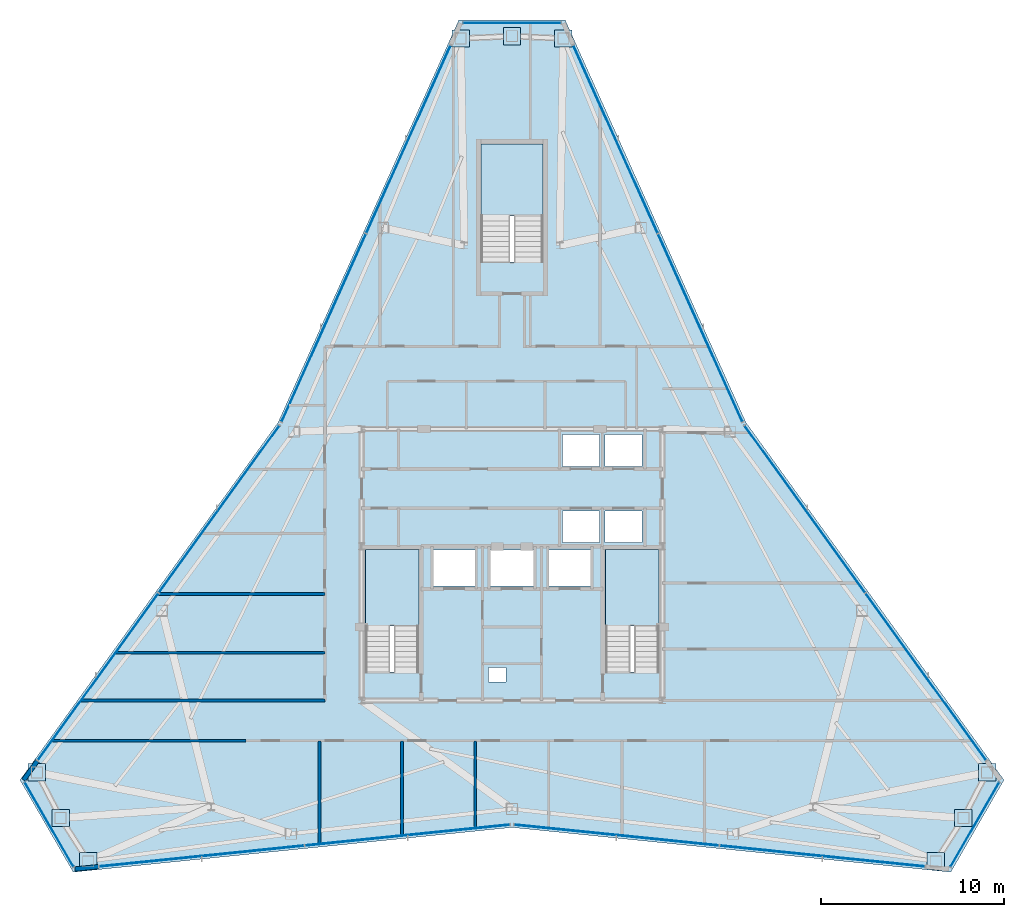
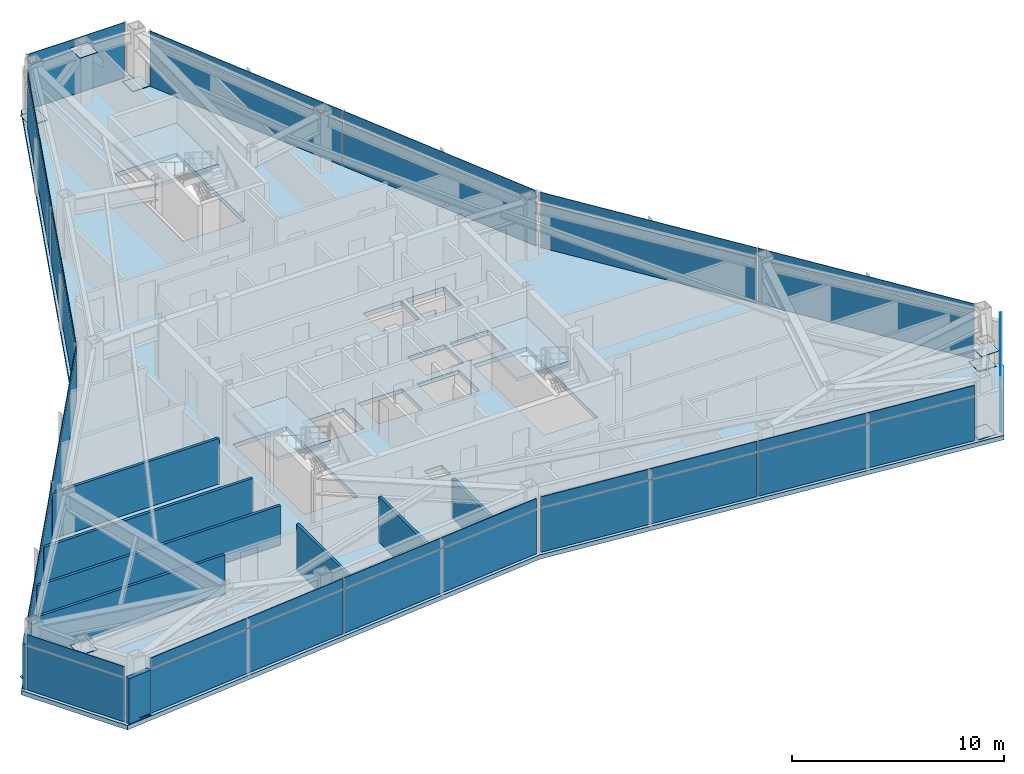
# One storey, part 8 of 12: 39 plates, 9 walls, 4 slabs, 12 elements without a shape of their own.
"""IFC4 building model written with IfcOpenShell, lengths in metres."""

import ifcopenshell
import ifcopenshell.guid

model = None  # the IFC model being written
_history = None  # IfcOwnerHistory: only IFC2X3 demands one
_inside = {}  # id of a spatial element -> (the spatial element, [elements in it])
_under = {}  # id of a project, library or spatial element -> (it, [spatial elements below it])
_declared = {}  # id of a project -> (the project, [libraries it declares])
_typed = {}  # id of a type object -> (the type object, [elements of that type])
_made_of = {}  # id of a material, layer set ... -> (it, [elements and type objects made of it])


def new_model(schema):
    """Start an empty IFC model of exactly this schema.

    Asked for "IFC4X3", IfcOpenShell would pick the latest addendum, in which some entities
    have other attributes; the version numbers below select the first issue.
    IFC2X3 requires an IfcOwnerHistory on every rooted entity: one is made here for all.
    """
    global model, _history
    if schema == "IFC4X3":
        model = ifcopenshell.file(schema_version=(4, 3, 0, 0))
    else:
        model = ifcopenshell.file(schema=schema)
    _inside.clear()
    _under.clear()
    _declared.clear()
    _typed.clear()
    _made_of.clear()
    _history = None
    if model.schema == "IFC2X3":
        org = make("IfcOrganization", Name="unknown")
        user = make(
            "IfcPersonAndOrganization",
            ThePerson=make("IfcPerson", FamilyName="unknown"),
            TheOrganization=org,
        )
        app = make(
            "IfcApplication",
            ApplicationDeveloper=org,
            Version="unknown",
            ApplicationFullName="unknown",
            ApplicationIdentifier="unknown",
        )
        _history = make(
            "IfcOwnerHistory",
            OwningUser=user,
            OwningApplication=app,
            ChangeAction="ADDED",
            CreationDate=0,
        )
    return model


def make(cls, **values):
    """One entity of the class cls with the attributes given. An attribute that is None is left unset."""
    return model.create_entity(
        cls, **{name: value for name, value in values.items() if value is not None}
    )


def rooted(cls, **values):
    """An entity with a GlobalId (a new one), such as an element, a storey or a relation."""
    return make(cls, GlobalId=ifcopenshell.guid.new(), OwnerHistory=_history, **values)


def si_unit(unit_type, name, prefix=None):
    """IfcSIUnit, for example si_unit("LENGTHUNIT", "METRE", prefix="MILLI")."""
    return make("IfcSIUnit", UnitType=unit_type, Prefix=prefix, Name=name)


def assignment(units):
    """IfcUnitAssignment: the units of a project."""
    return None if units is None else make("IfcUnitAssignment", Units=units)


def point(xyz):
    """IfcCartesianPoint."""
    return None if xyz is None else make("IfcCartesianPoint", Coordinates=xyz)


def direction(xyz):
    """IfcDirection."""
    return None if xyz is None else make("IfcDirection", DirectionRatios=xyz)


def frame(location, z_axis=None, x_axis=None):
    """IfcAxis2Placement3D, a coordinate frame: its origin and axes. An axis left out is left unset."""
    return make(
        "IfcAxis2Placement3D",
        Location=point(location),
        Axis=direction(z_axis),
        RefDirection=direction(x_axis),
    )


def frame_2d(location, x_axis=None):
    """IfcAxis2Placement2D, a coordinate frame in the plane: its origin and x axis."""
    return make(
        "IfcAxis2Placement2D", Location=point(location), RefDirection=direction(x_axis)
    )


def origin():
    """The frame at (0, 0, 0) with its axes left unset."""
    return frame((0.0, 0.0, 0.0))


def origin_2d():
    """The frame at (0, 0) in the plane with its x axis left unset."""
    return frame_2d((0.0, 0.0))


def place(relative_to, where):
    """IfcLocalPlacement: puts the frame where relative to a parent placement (None: the world)."""
    return make(
        "IfcLocalPlacement", PlacementRelTo=relative_to, RelativePlacement=where
    )


def context(
    kind, dimensions, precision=None, world=None, true_north=None, identifier=None
):
    """IfcGeometricRepresentationContext, for example the 3D "Model" context."""
    return make(
        "IfcGeometricRepresentationContext",
        ContextIdentifier=identifier,
        ContextType=kind,
        CoordinateSpaceDimension=dimensions,
        Precision=precision,
        WorldCoordinateSystem=world,
        TrueNorth=true_north,
    )


def subcontext(parent, identifier, kind, view, scale=None):
    """IfcGeometricRepresentationSubContext, for example "Body" below "Model"."""
    return make(
        "IfcGeometricRepresentationSubContext",
        ContextIdentifier=identifier,
        ContextType=kind,
        ParentContext=parent,
        TargetScale=scale,
        TargetView=view,
    )


def project(units=None, contexts=None):
    """IfcProject with its units and contexts."""
    return rooted(
        "IfcProject",
        Name="project",
        RepresentationContexts=contexts,
        UnitsInContext=assignment(units),
    )


def spatial(cls, under=None, at=None, **own):
    """A site, building, storey or space (cls), placed at a placement, below another one or the project."""
    s = rooted(cls, ObjectPlacement=at, **own)
    if under is not None:
        _under.setdefault(under.id(), (under, []))[1].append(s)
    return s


def polyline(points):
    """IfcPolyline through the points."""
    return make("IfcPolyline", Points=[point(p) for p in points])


def profile(cls, at=None, kind="AREA", **sizes):
    """A parametric profile (cls). Its sizes go by their IFC names, for example OverallWidth=200.0."""
    return make(cls, ProfileType=kind, Position=at, **sizes)


def rectangle(**sizes):
    """IfcRectangleProfileDef."""
    return profile("IfcRectangleProfileDef", **sizes)


def outline(outer, holes=None, kind="AREA"):
    """IfcArbitraryClosedProfileDef: a profile drawn as a closed curve; with holes, ...WithVoids."""
    if holes is None:
        return make("IfcArbitraryClosedProfileDef", ProfileType=kind, OuterCurve=outer)
    return make(
        "IfcArbitraryProfileDefWithVoids",
        ProfileType=kind,
        OuterCurve=outer,
        InnerCurves=holes,
    )


def extrude(swept, where, along, depth):
    """IfcExtrudedAreaSolid: the profile swept, set in the frame where, extruded along a direction by depth."""
    return make(
        "IfcExtrudedAreaSolid",
        SweptArea=swept,
        Position=where,
        ExtrudedDirection=direction(along),
        Depth=depth,
    )


def shape(context_of_items, identifier, shape_type, items):
    """IfcShapeRepresentation: the items that make up one representation, for example the "Body"."""
    return make(
        "IfcShapeRepresentation",
        ContextOfItems=context_of_items,
        RepresentationIdentifier=identifier,
        RepresentationType=shape_type,
        Items=items,
    )


def source(mapping_origin, context_of_items, identifier, shape_type, items):
    """IfcRepresentationMap: a shape defined once, which mapped items show again and again."""
    return make(
        "IfcRepresentationMap",
        MappingOrigin=mapping_origin,
        MappedRepresentation=shape(context_of_items, identifier, shape_type, items),
    )


def transform(
    local_origin,
    x_axis=None,
    y_axis=None,
    z_axis=None,
    scale=None,
    scale2=None,
    scale3=None,
    uniform=True,
):
    """IfcCartesianTransformationOperator3D, or its non-uniform kind. x_axis, y_axis, z_axis: its Axis1, 2, 3."""
    if uniform:
        return make(
            "IfcCartesianTransformationOperator3D",
            Axis1=direction(x_axis),
            Axis2=direction(y_axis),
            LocalOrigin=point(local_origin),
            Scale=scale,
            Axis3=direction(z_axis),
        )
    return make(
        "IfcCartesianTransformationOperator3DnonUniform",
        Axis1=direction(x_axis),
        Axis2=direction(y_axis),
        LocalOrigin=point(local_origin),
        Scale=scale,
        Axis3=direction(z_axis),
        Scale2=scale2,
        Scale3=scale3,
    )


def mapped(mapping_source, mapping_target):
    """IfcMappedItem: shows the shape of a source again, moved by a transform."""
    return make(
        "IfcMappedItem", MappingSource=mapping_source, MappingTarget=mapping_target
    )


def material(Name=None, Category=None):
    """IfcMaterial."""
    return make("IfcMaterial", Name=Name, Category=Category)


def layer(
    of_material, thickness, ventilated=None, Name=None, Category=None, Priority=None
):
    """IfcMaterialLayer: one layer of a wall or slab, of a material (None: an air gap)."""
    return make(
        "IfcMaterialLayer",
        Material=of_material,
        LayerThickness=thickness,
        IsVentilated=ventilated,
        Name=Name,
        Category=Category,
        Priority=Priority,
    )


def layer_set(layers, Name=None):
    """IfcMaterialLayerSet."""
    return make("IfcMaterialLayerSet", MaterialLayers=layers, LayerSetName=Name)


def made_of(thing, what):
    """Note that an element or type object is made of a material, layer set ...; save() writes the relation."""
    if what is not None:
        _made_of.setdefault(what.id(), (what, []))[1].append(thing)
    return thing


def type_object(cls, material=None, **own):
    """A type object (cls), such as IfcWallType, which elements share."""
    return made_of(rooted(cls, **own), material)


def type_shapes(of_type, sources):
    """Give a type object the sources (RepresentationMaps) that its elements show as mapped items."""
    of_type.RepresentationMaps = sources


def element(
    cls,
    number,
    at=None,
    inside=None,
    cuts=None,
    type_object=None,
    material=None,
    context=None,
    identifier="Body",
    shape_type=None,
    held_by="IfcProductDefinitionShape",
    body=None,
    shapes=None,
    **own,
):
    """One element of the class cls, such as IfcWall. Its Tag is "e" and its number.

    at: its placement. inside: the storey or other place that contains it. cuts: it is an
    opening in that element (IfcRelVoidsElement). A single representation is given by context,
    identifier, shape_type and body (its items); several are given by shapes. held_by: the class
    of the entity that holds the representations. save() writes the other relations.
    """
    e = rooted(cls, Tag="e%d" % number, ObjectPlacement=at, **own)
    if body is not None:
        shapes = [shape(context, identifier, shape_type, body)]
    if shapes is not None:
        e.Representation = make(held_by, Representations=shapes)
    if inside is not None:
        _inside.setdefault(inside.id(), (inside, []))[1].append(e)
    if cuts is not None:
        rooted(
            "IfcRelVoidsElement", RelatingBuildingElement=cuts, RelatedOpeningElement=e
        )
    if type_object is not None:
        _typed.setdefault(type_object.id(), (type_object, []))[1].append(e)
    return made_of(e, material)


def aggregate(whole, parts):
    """IfcRelAggregates: a whole, such as a stair, and the parts it consists of."""
    return rooted("IfcRelAggregates", RelatingObject=whole, RelatedObjects=parts)


def save(model, path):
    """Write the relations noted so far, then the file.

    IfcRelAggregates (storeys below a building ...), IfcRelContainedInSpatialStructure (elements
    in a storey), IfcRelDefinesByType, IfcRelAssociatesMaterial and IfcRelDeclares: one each for
    every whole, place, type object, material and project.
    """
    for whole, parts in _under.values():
        aggregate(whole, parts)
    for where, things in _inside.values():
        rooted(
            "IfcRelContainedInSpatialStructure",
            RelatedElements=things,
            RelatingStructure=where,
        )
    for kind, things in _typed.values():
        rooted("IfcRelDefinesByType", RelatedObjects=things, RelatingType=kind)
    for what, things in _made_of.values():
        rooted("IfcRelAssociatesMaterial", RelatedObjects=things, RelatingMaterial=what)
    for by, libraries in _declared.values():
        rooted("IfcRelDeclares", RelatingContext=by, RelatedDefinitions=libraries)
    model.write(path)


model = new_model("IFC4")

# Units and contexts
model_context = context("Model", 3, precision=1e-05, world=origin(), true_north=direction((0.0, 1.0)))
body_context = subcontext(model_context, "Body", "Model", "MODEL_VIEW")
ifc_project = project(units=[si_unit("LENGTHUNIT", "METRE"), si_unit("AREAUNIT", "SQUARE_METRE"), si_unit("VOLUMEUNIT", "CUBIC_METRE"), si_unit("PLANEANGLEUNIT", "RADIAN"), si_unit("MASSUNIT", "GRAM", prefix="KILO")], contexts=[model_context])

# Site, building, storey
site_placement = place(None, origin())
site = spatial("IfcSite", under=ifc_project, at=site_placement, CompositionType="ELEMENT")
building_placement = place(site_placement, origin())
building = spatial("IfcBuilding", under=site, at=building_placement, Name="Varakhsha Concourse Tower", CompositionType="ELEMENT")
storey_placement = place(building_placement, frame((0.0, 0.0, 262.0)))
storey = spatial("IfcBuildingStorey", under=building, at=storey_placement, Name="L74", CompositionType="ELEMENT", Elevation=262.0)

# Slab
ifc_material_1 = material(Name="Concrete fc 45 MPa", Category="concrete")
ifc_layer_1 = layer(ifc_material_1, 0.25, Name="SL-FLR-250")
ifc_layer_set_1 = layer_set([ifc_layer_1], Name="Concrete fc 45 MPa")
slab_type_1 = type_object("IfcSlabType", Name="SL-FLR-250", PredefinedType="FLOOR", material=ifc_layer_set_1)
slab_1_placement = place(storey_placement, frame((0.0, 0.0, -0.25)))
element("IfcSlab", 1, at=slab_1_placement, inside=storey, type_object=slab_type_1, Name="L74 Composite Structural Slab", PredefinedType="FLOOR", context=body_context, shape_type="SweptSolid", body=[
    extrude(outline(polyline([(42.89990234375, 53.4970703125), (37.10009765625, 53.4970703125), (27.249267578125, 31.5615234375), (13.177978515625, 12.06298828125), (16.077880859375, 7.0400390625), (40.0, 9.476806640625), (63.922119140625, 7.0400390625), (66.822021484375, 12.06298828125), (52.750732421875, 31.5615234375), (42.89990234375, 53.4970703125)]), holes=[polyline([(34.919921875, 17.93994140625), (34.919921875, 24.6298828125), (32.0, 24.6298828125), (32.0, 17.93994140625), (34.919921875, 17.93994140625)]), polyline([(48.02001953125, 17.93994140625), (48.02001953125, 24.6298828125), (45.10009765625, 24.6298828125), (45.10009765625, 17.93994140625), (48.02001953125, 17.93994140625)]), polyline([(41.699951171875, 40.300048828125), (41.699951171875, 46.75), (38.300048828125, 46.75), (38.300048828125, 40.300048828125), (41.699951171875, 40.300048828125)]), polyline([(42.739990234375, 29.159912109375), (44.780029296875, 29.159912109375), (44.780029296875, 30.89990234375), (42.739990234375, 30.89990234375), (42.739990234375, 29.159912109375)]), polyline([(45.06005859375, 29.159912109375), (47.10009765625, 29.159912109375), (47.10009765625, 30.89990234375), (45.06005859375, 30.89990234375), (45.06005859375, 29.159912109375)]), polyline([(42.739990234375, 25.0), (44.780029296875, 25.0), (44.780029296875, 26.739990234375), (42.739990234375, 26.739990234375), (42.739990234375, 25.0)]), polyline([(45.06005859375, 25.0), (47.10009765625, 25.0), (47.10009765625, 26.739990234375), (45.06005859375, 26.739990234375), (45.06005859375, 25.0)]), polyline([(35.7099609375, 22.639892578125), (37.989990234375, 22.639892578125), (37.989990234375, 24.60009765625), (35.7099609375, 24.60009765625), (35.7099609375, 22.639892578125)]), polyline([(42.010009765625, 22.639892578125), (44.2900390625, 22.639892578125), (44.2900390625, 24.60009765625), (42.010009765625, 24.60009765625), (42.010009765625, 22.639892578125)]), polyline([(38.81005859375, 22.639892578125), (41.18994140625, 22.639892578125), (41.18994140625, 24.60009765625), (38.81005859375, 24.60009765625), (38.81005859375, 22.639892578125)]), polyline([(38.719970703125, 17.39990234375), (39.679931640625, 17.39990234375), (39.679931640625, 18.199951171875), (38.719970703125, 18.199951171875), (38.719970703125, 17.39990234375)])]), origin(), (0.0, 0.0, 1.0), 0.25),
])

# Stair, slab
stair_type_1 = type_object("IfcStairType", Name="ST-DOGLEG-1360", PredefinedType="HALF_TURN_STAIR", material=ifc_material_1)
stair_1_placement = place(storey_placement, origin())
stair_1 = element("IfcStair", 2, at=stair_1_placement, inside=storey, type_object=stair_type_1, Name="L74 Protected Exit Stair ST1", PredefinedType="HALF_TURN_STAIR")
ifc_layer_2 = layer(ifc_material_1, 0.199951171875, Name="SL-LAND-200")
ifc_layer_set_2 = layer_set([ifc_layer_2], Name="Concrete fc 45 MPa")
slab_type_2 = type_object("IfcSlabType", Name="SL-LAND-200", PredefinedType="LANDING", material=ifc_layer_set_2)
slab_2_placement = place(storey_placement, frame((0.0, 0.0, 1.550048828125)))
slab_2 = element("IfcSlab", 3, at=slab_2_placement, type_object=slab_type_2, Name="ST1 landing 1", PredefinedType="LANDING", context=body_context, shape_type="SweptSolid", body=[
    extrude(outline(polyline([(34.919921875, 20.4599609375), (34.919921875, 24.6298828125), (32.0, 24.6298828125), (32.0, 20.4599609375), (34.919921875, 20.4599609375)])), origin(), (0.0, 0.0, 1.0), 0.199951171875),
])
aggregate(stair_1, [slab_2])

stair_2_placement = place(storey_placement, origin())
stair_2 = element("IfcStair", 4, at=stair_2_placement, inside=storey, type_object=stair_type_1, Name="L74 Protected Exit Stair ST2", PredefinedType="HALF_TURN_STAIR")
slab_3_placement = place(storey_placement, frame((0.0, 0.0, 1.550048828125)))
slab_3 = element("IfcSlab", 5, at=slab_3_placement, type_object=slab_type_2, Name="ST2 landing 1", PredefinedType="LANDING", context=body_context, shape_type="SweptSolid", body=[
    extrude(outline(polyline([(48.02001953125, 20.4599609375), (48.02001953125, 24.6298828125), (45.10009765625, 24.6298828125), (45.10009765625, 20.4599609375), (48.02001953125, 20.4599609375)])), origin(), (0.0, 0.0, 1.0), 0.199951171875),
])
aggregate(stair_2, [slab_3])

stair_type_2 = type_object("IfcStairType", Name="ST-DOGLEG-1600", PredefinedType="HALF_TURN_STAIR", material=ifc_material_1)
stair_3_placement = place(storey_placement, origin())
stair_3 = element("IfcStair", 6, at=stair_3_placement, inside=storey, type_object=stair_type_2, Name="L74 Protected Exit Stair ST5", PredefinedType="HALF_TURN_STAIR")
slab_4_placement = place(storey_placement, frame((0.0, 0.0, 1.550048828125)))
slab_4 = element("IfcSlab", 7, at=slab_4_placement, type_object=slab_type_2, Name="ST5 landing 1", PredefinedType="LANDING", context=body_context, shape_type="SweptSolid", body=[
    extrude(outline(polyline([(41.699951171875, 42.820068359375), (41.699951171875, 46.75), (38.300048828125, 46.75), (38.300048828125, 42.820068359375), (41.699951171875, 42.820068359375)])), origin(), (0.0, 0.0, 1.0), 0.199951171875),
])
aggregate(stair_3, [slab_4])

# Plates
ifc_material_2 = material(Name="Structural Steel ASTM A572 Grade 50", Category="steel")
ifc_layer_3 = layer(ifc_material_2, 0.030029296875, Name="PL-ENDCAP-950")
ifc_layer_set_3 = layer_set([ifc_layer_3], Name="Structural Steel ASTM A572 Grade 50")
plate_type_1 = type_object("IfcPlateType", Name="PL-ENDCAP-950", PredefinedType="USERDEFINED", material=ifc_layer_set_3)
shared_shape_1 = source(origin(), body_context, "Body", "SweptSolid", [
    extrude(rectangle(XDim=0.949951171875, YDim=0.949951171875, at=origin_2d()), origin(), (0.0, 0.0, 1.0), 0.030029296875),
])
type_shapes(plate_type_1, [shared_shape_1])
for number, where, z_axis, x_axis, name in (
    (8, (42.80029296875, 52.489990234375, 0.10498046875), (0.0, 0.0, 1.0), (1.0, 0.0, 0.0), "Hollow Section End Cap GP-NODE-L74-0787"),
    (9, (40.0, 52.6171875, 2.93505859375), (0.0, 0.0, 1.0), (1.0, 0.0, 0.0), "Hollow Section End Cap GP-NODE-L74-0788"),
    (10, (37.19970703125, 52.489990234375, 0.10498046875), (0.0, 0.0, 1.0), (1.0, 0.0, 0.0), "Hollow Section End Cap GP-NODE-L74-0789"),
    (11, (14.10009765625, 12.47998046875, 0.10498046875), (0.0, 0.0, 1.0), (1.0, 0.0, 0.0), "Hollow Section End Cap GP-NODE-L74-0790"),
    (12, (15.39013671875, 9.991455078125, 2.93505859375), (0.0, 0.0, 1.0), (1.0, 0.0, 0.0), "Hollow Section End Cap GP-NODE-L74-0791"),
    (13, (16.900390625, 7.6298828125, 0.10498046875), (0.0, 0.0, 1.0), (1.0, 0.0, 0.0), "Hollow Section End Cap GP-NODE-L74-0792"),
    (14, (63.099609375, 7.6298828125, 0.10498046875), (0.0, 0.0, 1.0), (1.0, 0.0, 0.0), "Hollow Section End Cap GP-NODE-L74-0793"),
    (15, (64.60986328125, 9.991455078125, 2.93505859375), (0.0, 0.0, 1.0), (1.0, 0.0, 0.0), "Hollow Section End Cap GP-NODE-L74-0794"),
    (16, (65.89990234375, 12.47998046875, 0.10498046875), (0.0, 0.0, 1.0), (1.0, 0.0, 0.0), "Hollow Section End Cap GP-NODE-L74-0795"),
):
    element("IfcPlate", number, at=place(storey_placement, frame(where, z_axis=z_axis, x_axis=x_axis)), inside=storey, type_object=plate_type_1, Name=name, ObjectType="END PLATE", PredefinedType="USERDEFINED", context=body_context, shape_type="MappedRepresentation", body=[
        mapped(shared_shape_1, transform((0.0, 0.0, 0.0), scale=1.0)),
    ])

# Curtain wall, plate
ifc_material_3 = material(Name="Anodised Bronze Architectural Aluminium AA 6063-T6", Category="aluminium")
ifc_layer_4 = layer(ifc_material_3, 0.199951171875, Name="CW-SYS-05")
ifc_layer_set_4 = layer_set([ifc_layer_4], Name="Anodised Bronze Architectural Aluminium AA 6063-T6")
curtain_wall_type = type_object("IfcCurtainWallType", Name="CW-SYS-05", PredefinedType="NOTDEFINED", material=ifc_layer_set_4)
curtain_wall_1_placement = place(storey_placement, origin())
curtain_wall_1 = element("IfcCurtainWall", 17, at=curtain_wall_1_placement, inside=storey, type_object=curtain_wall_type, Name="L74 Chamfer Curtain Wall F1", PredefinedType="NOTDEFINED")
ifc_material_4 = material(Name="Insulated Anodised Bronze Aluminium Spandrel 36 mm", Category="aluminium")
ifc_layer_5 = layer(ifc_material_4, 0.035888671875, Name="CWP-SPN-36")
ifc_layer_set_5 = layer_set([ifc_layer_5], Name="Insulated Anodised Bronze Aluminium Spandrel 36 mm")
plate_type_2 = type_object("IfcPlateType", Name="CWP-SPN-36", PredefinedType="USERDEFINED", material=ifc_layer_set_5)
shared_shape_2 = source(origin(), body_context, "Body", "SweptSolid", [
    extrude(rectangle(XDim=5.291015625, YDim=0.035888671875, at=origin_2d()), origin(), (0.0, 0.0, 1.0), 0.5859375),
])
plate_1_placement = place(storey_placement, frame((40.0, 53.337158203125, 2.632080078125), z_axis=(0.0, 0.0, 1.0), x_axis=(1.0, 0.0, 0.0)))
plate_1 = element("IfcPlate", 18, at=plate_1_placement, type_object=plate_type_2, Name="CW-L74-F1 Panel 00-01", ObjectType="SPANDREL", PredefinedType="USERDEFINED", context=body_context, shape_type="MappedRepresentation", body=[
    mapped(shared_shape_2, transform((0.0, 0.0, 0.0), scale=1.0)),
])

curtain_wall_2_placement = place(storey_placement, origin())
curtain_wall_2 = element("IfcCurtainWall", 19, at=curtain_wall_2_placement, inside=storey, type_object=curtain_wall_type, Name="L74 Chamfer Curtain Wall F4", PredefinedType="NOTDEFINED")
plate_2_placement = place(storey_placement, frame((14.7666015625, 9.631591796875, 2.632080078125), z_axis=(0.0, 0.0, 1.0), x_axis=(-0.5, 0.866025403784, 0.0)))
plate_2 = element("IfcPlate", 20, at=plate_2_placement, type_object=plate_type_2, Name="CW-L74-F4 Panel 00-01", ObjectType="SPANDREL", PredefinedType="USERDEFINED", context=body_context, shape_type="MappedRepresentation", body=[
    mapped(shared_shape_2, transform((0.0, 0.0, 0.0), scale=1.0)),
])

curtain_wall_3_placement = place(storey_placement, origin())
curtain_wall_3 = element("IfcCurtainWall", 21, at=curtain_wall_3_placement, inside=storey, type_object=curtain_wall_type, Name="L74 Chamfer Curtain Wall F7", PredefinedType="NOTDEFINED")
plate_3_placement = place(storey_placement, frame((65.2333984375, 9.631591796875, 2.632080078125), z_axis=(0.0, 0.0, 1.0), x_axis=(-0.5, -0.866025403784, 0.0)))
plate_3 = element("IfcPlate", 22, at=plate_3_placement, type_object=plate_type_2, Name="CW-L74-F7 Panel 00-01", ObjectType="SPANDREL", PredefinedType="USERDEFINED", context=body_context, shape_type="MappedRepresentation", body=[
    mapped(shared_shape_2, transform((0.0, 0.0, 0.0), scale=1.0)),
])

# Plate
shared_shape_3 = source(origin(), body_context, "Body", "SweptSolid", [
    extrude(rectangle(XDim=5.291015625, YDim=0.035888671875, at=origin_2d()), origin(), (0.0, 0.0, 1.0), 2.535888671875),
])
plate_4_placement = place(storey_placement, frame((40.0, 53.337158203125, 0.0322265625), z_axis=(0.0, 0.0, 1.0), x_axis=(1.0, 0.0, 0.0)))
plate_4 = element("IfcPlate", 23, at=plate_4_placement, type_object=plate_type_2, Name="CW-L74-F1 Panel 00-00", ObjectType="SPANDREL", PredefinedType="USERDEFINED", context=body_context, shape_type="MappedRepresentation", body=[
    mapped(shared_shape_3, transform((0.0, 0.0, 0.0), scale=1.0)),
])

aggregate(curtain_wall_1, [plate_4, plate_1])

plate_5_placement = place(storey_placement, frame((14.7666015625, 9.631591796875, 0.0322265625), z_axis=(0.0, 0.0, 1.0), x_axis=(-0.5, 0.866025403784, 0.0)))
plate_5 = element("IfcPlate", 24, at=plate_5_placement, type_object=plate_type_2, Name="CW-L74-F4 Panel 00-00", ObjectType="SPANDREL", PredefinedType="USERDEFINED", context=body_context, shape_type="MappedRepresentation", body=[
    mapped(shared_shape_3, transform((0.0, 0.0, 0.0), scale=1.0)),
])

aggregate(curtain_wall_2, [plate_5, plate_2])

plate_6_placement = place(storey_placement, frame((65.2333984375, 9.631591796875, 0.0322265625), z_axis=(0.0, 0.0, 1.0), x_axis=(-0.5, -0.866025403784, 0.0)))
plate_6 = element("IfcPlate", 25, at=plate_6_placement, type_object=plate_type_2, Name="CW-L74-F7 Panel 00-00", ObjectType="SPANDREL", PredefinedType="USERDEFINED", context=body_context, shape_type="MappedRepresentation", body=[
    mapped(shared_shape_3, transform((0.0, 0.0, 0.0), scale=1.0)),
])

aggregate(curtain_wall_3, [plate_6, plate_3])

# Curtain wall, plate
curtain_wall_4_placement = place(storey_placement, origin())
curtain_wall_4 = element("IfcCurtainWall", 26, at=curtain_wall_4_placement, inside=storey, type_object=curtain_wall_type, Name="L74 Crystal Curtain Wall F2", PredefinedType="NOTDEFINED")
ifc_material_5 = material(Name="Low-E Triple Insulating Glass IGU 44 mm", Category="glass")
ifc_layer_6 = layer(ifc_material_5, 0.0439453125, Name="CWP-IGU-44")
ifc_layer_set_6 = layer_set([ifc_layer_6], Name="Low-E Triple Insulating Glass IGU 44 mm")
plate_type_3 = type_object("IfcPlateType", Name="CWP-IGU-44", PredefinedType="CURTAIN_PANEL", material=ifc_layer_set_6)
shared_shape_4 = source(origin(), body_context, "Body", "SweptSolid", [
    extrude(rectangle(XDim=11.203857421875, YDim=0.0439453125, at=origin_2d()), origin(), (0.0, 0.0, 1.0), 2.535888671875),
])
plate_7_placement = place(storey_placement, frame((29.737060546875, 36.710693359375, 0.0322265625), z_axis=(0.0, 0.0, 1.0), x_axis=(0.409661937266, 0.912237412714, 0.0)))
plate_7 = element("IfcPlate", 27, at=plate_7_placement, type_object=plate_type_3, Name="CW-L74-F2 Panel 00-00", PredefinedType="CURTAIN_PANEL", context=body_context, shape_type="MappedRepresentation", body=[
    mapped(shared_shape_4, transform((0.0, 0.0, 0.0), scale=1.0)),
])

# Curtain wall, plates
curtain_wall_5_placement = place(storey_placement, origin())
curtain_wall_5 = element("IfcCurtainWall", 28, at=curtain_wall_5_placement, inside=storey, type_object=curtain_wall_type, Name="L74 Crystal Curtain Wall F3", PredefinedType="NOTDEFINED")
plate_8_placement = place(storey_placement, frame((17.43701171875, 17.69140625, 0.0322265625), z_axis=(0.0, 0.0, 1.0), x_axis=(0.585188389778, 0.81089737234, 0.0)))
plate_8 = element("IfcPlate", 29, at=plate_8_placement, type_object=plate_type_3, Name="CW-L74-F3 Panel 00-00", PredefinedType="CURTAIN_PANEL", context=body_context, shape_type="MappedRepresentation", body=[
    mapped(shared_shape_4, transform((0.0, 0.0, 0.0), scale=1.0)),
])
plate_9_placement = place(storey_placement, frame((24.03369140625, 26.83251953125, 0.0322265625), z_axis=(0.0, 0.0, 1.0), x_axis=(0.585188389778, 0.81089737234, 0.0)))
plate_9 = element("IfcPlate", 30, at=plate_9_placement, type_object=plate_type_3, Name="CW-L74-F3 Panel 01-00", PredefinedType="CURTAIN_PANEL", context=body_context, shape_type="MappedRepresentation", body=[
    mapped(shared_shape_4, transform((0.0, 0.0, 0.0), scale=1.0)),
])

curtain_wall_6_placement = place(storey_placement, origin())
curtain_wall_6 = element("IfcCurtainWall", 31, at=curtain_wall_6_placement, inside=storey, type_object=curtain_wall_type, Name="L74 Crystal Curtain Wall F5", PredefinedType="NOTDEFINED")
plate_10_placement = place(storey_placement, frame((34.296875, 9.056640625, 0.0322265625), z_axis=(0.0, 0.0, 1.0), x_axis=(-0.994852272933, -0.101335852689, 0.0)))
plate_10 = element("IfcPlate", 32, at=plate_10_placement, type_object=plate_type_3, Name="CW-L74-F5 Panel 00-00", PredefinedType="CURTAIN_PANEL", context=body_context, shape_type="MappedRepresentation", body=[
    mapped(shared_shape_4, transform((0.0, 0.0, 0.0), scale=1.0)),
])
plate_11_placement = place(storey_placement, frame((23.081787109375, 7.914306640625, 0.0322265625), z_axis=(0.0, 0.0, 1.0), x_axis=(-0.994852272933, -0.101335852689, 0.0)))
plate_11 = element("IfcPlate", 33, at=plate_11_placement, type_object=plate_type_3, Name="CW-L74-F5 Panel 01-00", PredefinedType="CURTAIN_PANEL", context=body_context, shape_type="MappedRepresentation", body=[
    mapped(shared_shape_4, transform((0.0, 0.0, 0.0), scale=1.0)),
])

curtain_wall_7_placement = place(storey_placement, origin())
curtain_wall_7 = element("IfcCurtainWall", 34, at=curtain_wall_7_placement, inside=storey, type_object=curtain_wall_type, Name="L74 Crystal Curtain Wall F6", PredefinedType="NOTDEFINED")
plate_12_placement = place(storey_placement, frame((56.918212890625, 7.914306640625, 0.0322265625), z_axis=(0.0, 0.0, 1.0), x_axis=(-0.994852272933, 0.101335852689, 0.0)))
plate_12 = element("IfcPlate", 35, at=plate_12_placement, type_object=plate_type_3, Name="CW-L74-F6 Panel 00-00", PredefinedType="CURTAIN_PANEL", context=body_context, shape_type="MappedRepresentation", body=[
    mapped(shared_shape_4, transform((0.0, 0.0, 0.0), scale=1.0)),
])
plate_13_placement = place(storey_placement, frame((45.703125, 9.056640625, 0.0322265625), z_axis=(0.0, 0.0, 1.0), x_axis=(-0.994852272933, 0.101335852689, 0.0)))
plate_13 = element("IfcPlate", 36, at=plate_13_placement, type_object=plate_type_3, Name="CW-L74-F6 Panel 01-00", PredefinedType="CURTAIN_PANEL", context=body_context, shape_type="MappedRepresentation", body=[
    mapped(shared_shape_4, transform((0.0, 0.0, 0.0), scale=1.0)),
])

curtain_wall_8_placement = place(storey_placement, origin())
curtain_wall_8 = element("IfcCurtainWall", 37, at=curtain_wall_8_placement, inside=storey, type_object=curtain_wall_type, Name="L74 Crystal Curtain Wall F8", PredefinedType="NOTDEFINED")
plate_14_placement = place(storey_placement, frame((55.96630859375, 26.83251953125, 0.0322265625), z_axis=(0.0, 0.0, 1.0), x_axis=(0.585188389778, -0.81089737234, 0.0)))
plate_14 = element("IfcPlate", 38, at=plate_14_placement, type_object=plate_type_3, Name="CW-L74-F8 Panel 00-00", PredefinedType="CURTAIN_PANEL", context=body_context, shape_type="MappedRepresentation", body=[
    mapped(shared_shape_4, transform((0.0, 0.0, 0.0), scale=1.0)),
])
plate_15_placement = place(storey_placement, frame((62.56298828125, 17.69140625, 0.0322265625), z_axis=(0.0, 0.0, 1.0), x_axis=(0.585188389778, -0.81089737234, 0.0)))
plate_15 = element("IfcPlate", 39, at=plate_15_placement, type_object=plate_type_3, Name="CW-L74-F8 Panel 01-00", PredefinedType="CURTAIN_PANEL", context=body_context, shape_type="MappedRepresentation", body=[
    mapped(shared_shape_4, transform((0.0, 0.0, 0.0), scale=1.0)),
])

# Curtain wall, plate
curtain_wall_9_placement = place(storey_placement, origin())
curtain_wall_9 = element("IfcCurtainWall", 40, at=curtain_wall_9_placement, inside=storey, type_object=curtain_wall_type, Name="L74 Crystal Curtain Wall F9", PredefinedType="NOTDEFINED")
plate_16_placement = place(storey_placement, frame((45.644775390625, 46.994384765625, 0.0322265625), z_axis=(0.0, 0.0, 1.0), x_axis=(0.409661937266, -0.912237412714, 0.0)))
plate_16 = element("IfcPlate", 41, at=plate_16_placement, type_object=plate_type_3, Name="CW-L74-F9 Panel 00-00", PredefinedType="CURTAIN_PANEL", context=body_context, shape_type="MappedRepresentation", body=[
    mapped(shared_shape_4, transform((0.0, 0.0, 0.0), scale=1.0)),
])

# Plate
shared_shape_5 = source(origin(), body_context, "Body", "SweptSolid", [
    extrude(rectangle(XDim=11.203857421875, YDim=0.035888671875, at=origin_2d()), origin(), (0.0, 0.0, 1.0), 0.5859375),
])
plate_17_placement = place(storey_placement, frame((29.737060546875, 36.710693359375, 2.632080078125), z_axis=(0.0, 0.0, 1.0), x_axis=(0.409661937266, 0.912237412714, 0.0)))
plate_17 = element("IfcPlate", 42, at=plate_17_placement, type_object=plate_type_2, Name="CW-L74-F2 Panel 00-01", ObjectType="SPANDREL", PredefinedType="USERDEFINED", context=body_context, shape_type="MappedRepresentation", body=[
    mapped(shared_shape_5, transform((0.0, 0.0, 0.0), scale=1.0)),
])

plate_18_placement = place(storey_placement, frame((17.43701171875, 17.69140625, 2.632080078125), z_axis=(0.0, 0.0, 1.0), x_axis=(0.585188389778, 0.81089737234, 0.0)))
plate_18 = element("IfcPlate", 43, at=plate_18_placement, type_object=plate_type_2, Name="CW-L74-F3 Panel 00-01", ObjectType="SPANDREL", PredefinedType="USERDEFINED", context=body_context, shape_type="MappedRepresentation", body=[
    mapped(shared_shape_5, transform((0.0, 0.0, 0.0), scale=1.0)),
])

plate_19_placement = place(storey_placement, frame((24.03369140625, 26.83251953125, 2.632080078125), z_axis=(0.0, 0.0, 1.0), x_axis=(0.585188389778, 0.81089737234, 0.0)))
plate_19 = element("IfcPlate", 44, at=plate_19_placement, type_object=plate_type_2, Name="CW-L74-F3 Panel 01-01", ObjectType="SPANDREL", PredefinedType="USERDEFINED", context=body_context, shape_type="MappedRepresentation", body=[
    mapped(shared_shape_5, transform((0.0, 0.0, 0.0), scale=1.0)),
])

aggregate(curtain_wall_5, [plate_8, plate_18, plate_9, plate_19])

plate_20_placement = place(storey_placement, frame((34.296875, 9.056640625, 2.632080078125), z_axis=(0.0, 0.0, 1.0), x_axis=(-0.994852272933, -0.101335852689, 0.0)))
plate_20 = element("IfcPlate", 45, at=plate_20_placement, type_object=plate_type_2, Name="CW-L74-F5 Panel 00-01", ObjectType="SPANDREL", PredefinedType="USERDEFINED", context=body_context, shape_type="MappedRepresentation", body=[
    mapped(shared_shape_5, transform((0.0, 0.0, 0.0), scale=1.0)),
])

plate_21_placement = place(storey_placement, frame((23.081787109375, 7.914306640625, 2.632080078125), z_axis=(0.0, 0.0, 1.0), x_axis=(-0.994852272933, -0.101335852689, 0.0)))
plate_21 = element("IfcPlate", 46, at=plate_21_placement, type_object=plate_type_2, Name="CW-L74-F5 Panel 01-01", ObjectType="SPANDREL", PredefinedType="USERDEFINED", context=body_context, shape_type="MappedRepresentation", body=[
    mapped(shared_shape_5, transform((0.0, 0.0, 0.0), scale=1.0)),
])

aggregate(curtain_wall_6, [plate_10, plate_20, plate_11, plate_21])

plate_22_placement = place(storey_placement, frame((56.918212890625, 7.914306640625, 2.632080078125), z_axis=(0.0, 0.0, 1.0), x_axis=(-0.994852272933, 0.101335852689, 0.0)))
plate_22 = element("IfcPlate", 47, at=plate_22_placement, type_object=plate_type_2, Name="CW-L74-F6 Panel 00-01", ObjectType="SPANDREL", PredefinedType="USERDEFINED", context=body_context, shape_type="MappedRepresentation", body=[
    mapped(shared_shape_5, transform((0.0, 0.0, 0.0), scale=1.0)),
])

plate_23_placement = place(storey_placement, frame((45.703125, 9.056640625, 2.632080078125), z_axis=(0.0, 0.0, 1.0), x_axis=(-0.994852272933, 0.101335852689, 0.0)))
plate_23 = element("IfcPlate", 48, at=plate_23_placement, type_object=plate_type_2, Name="CW-L74-F6 Panel 01-01", ObjectType="SPANDREL", PredefinedType="USERDEFINED", context=body_context, shape_type="MappedRepresentation", body=[
    mapped(shared_shape_5, transform((0.0, 0.0, 0.0), scale=1.0)),
])

aggregate(curtain_wall_7, [plate_12, plate_22, plate_13, plate_23])

plate_24_placement = place(storey_placement, frame((55.96630859375, 26.83251953125, 2.632080078125), z_axis=(0.0, 0.0, 1.0), x_axis=(0.585188389778, -0.81089737234, 0.0)))
plate_24 = element("IfcPlate", 49, at=plate_24_placement, type_object=plate_type_2, Name="CW-L74-F8 Panel 00-01", ObjectType="SPANDREL", PredefinedType="USERDEFINED", context=body_context, shape_type="MappedRepresentation", body=[
    mapped(shared_shape_5, transform((0.0, 0.0, 0.0), scale=1.0)),
])

plate_25_placement = place(storey_placement, frame((62.56298828125, 17.69140625, 2.632080078125), z_axis=(0.0, 0.0, 1.0), x_axis=(0.585188389778, -0.81089737234, 0.0)))
plate_25 = element("IfcPlate", 50, at=plate_25_placement, type_object=plate_type_2, Name="CW-L74-F8 Panel 01-01", ObjectType="SPANDREL", PredefinedType="USERDEFINED", context=body_context, shape_type="MappedRepresentation", body=[
    mapped(shared_shape_5, transform((0.0, 0.0, 0.0), scale=1.0)),
])

aggregate(curtain_wall_8, [plate_14, plate_24, plate_15, plate_25])

plate_26_placement = place(storey_placement, frame((45.644775390625, 46.994384765625, 2.632080078125), z_axis=(0.0, 0.0, 1.0), x_axis=(0.409661937266, -0.912237412714, 0.0)))
plate_26 = element("IfcPlate", 51, at=plate_26_placement, type_object=plate_type_2, Name="CW-L74-F9 Panel 00-01", ObjectType="SPANDREL", PredefinedType="USERDEFINED", context=body_context, shape_type="MappedRepresentation", body=[
    mapped(shared_shape_5, transform((0.0, 0.0, 0.0), scale=1.0)),
])

shared_shape_6 = source(origin(), body_context, "Body", "SweptSolid", [
    extrude(rectangle(XDim=11.2041015625, YDim=0.0439453125, at=origin_2d()), origin(), (0.0, 0.0, 1.0), 2.535888671875),
])
type_shapes(plate_type_3, [shared_shape_4, shared_shape_6])
plate_27_placement = place(storey_placement, frame((34.35498046875, 46.994384765625, 0.0322265625), z_axis=(0.0, 0.0, 1.0), x_axis=(0.409661937266, 0.912237412714, 0.0)))
plate_27 = element("IfcPlate", 52, at=plate_27_placement, type_object=plate_type_3, Name="CW-L74-F2 Panel 01-00", PredefinedType="CURTAIN_PANEL", context=body_context, shape_type="MappedRepresentation", body=[
    mapped(shared_shape_6, transform((0.0, 0.0, 0.0), scale=1.0)),
])

plate_28_placement = place(storey_placement, frame((50.262939453125, 36.710693359375, 0.0322265625), z_axis=(0.0, 0.0, 1.0), x_axis=(0.409661937266, -0.912237412714, 0.0)))
plate_28 = element("IfcPlate", 53, at=plate_28_placement, type_object=plate_type_3, Name="CW-L74-F9 Panel 01-00", PredefinedType="CURTAIN_PANEL", context=body_context, shape_type="MappedRepresentation", body=[
    mapped(shared_shape_6, transform((0.0, 0.0, 0.0), scale=1.0)),
])

shared_shape_7 = source(origin(), body_context, "Body", "SweptSolid", [
    extrude(rectangle(XDim=11.2041015625, YDim=0.035888671875, at=origin_2d()), origin(), (0.0, 0.0, 1.0), 0.5859375),
])
type_shapes(plate_type_2, [shared_shape_2, shared_shape_3, shared_shape_5, shared_shape_7])
plate_29_placement = place(storey_placement, frame((34.35498046875, 46.994384765625, 2.632080078125), z_axis=(0.0, 0.0, 1.0), x_axis=(0.409661937266, 0.912237412714, 0.0)))
plate_29 = element("IfcPlate", 54, at=plate_29_placement, type_object=plate_type_2, Name="CW-L74-F2 Panel 01-01", ObjectType="SPANDREL", PredefinedType="USERDEFINED", context=body_context, shape_type="MappedRepresentation", body=[
    mapped(shared_shape_7, transform((0.0, 0.0, 0.0), scale=1.0)),
])

aggregate(curtain_wall_4, [plate_7, plate_17, plate_27, plate_29])

plate_30_placement = place(storey_placement, frame((50.262939453125, 36.710693359375, 2.632080078125), z_axis=(0.0, 0.0, 1.0), x_axis=(0.409661937266, -0.912237412714, 0.0)))
plate_30 = element("IfcPlate", 55, at=plate_30_placement, type_object=plate_type_2, Name="CW-L74-F9 Panel 01-01", ObjectType="SPANDREL", PredefinedType="USERDEFINED", context=body_context, shape_type="MappedRepresentation", body=[
    mapped(shared_shape_7, transform((0.0, 0.0, 0.0), scale=1.0)),
])

aggregate(curtain_wall_9, [plate_16, plate_26, plate_28, plate_30])

# Walls
ifc_layer_7 = layer(ifc_material_1, 0.239990234375, Name="WL-EXT-CRN-240")
ifc_layer_set_7 = layer_set([ifc_layer_7], Name="Concrete fc 45 MPa")
wall_type_1 = type_object("IfcWallType", Name="WL-EXT-CRN-240", PredefinedType="SHEAR", material=ifc_layer_set_7)
wall_1_placement = place(storey_placement, frame((14.11962890625, 13.094482421875, 0.0), z_axis=(0.0, 0.0, 1.0), x_axis=(-0.585112505524, -0.810952129216, 0.0)))
element("IfcWall", 56, at=wall_1_placement, inside=storey, type_object=wall_type_1, Name="L74 Wind-Corner Shoulder Wall F3", PredefinedType="SHEAR", context=body_context, shape_type="SweptSolid", body=[
    extrude(rectangle(XDim=1.2734375, YDim=0.239990234375, at=frame_2d((0.63671875, 0.0))), origin(), (0.0, 0.0, 1.0), 2.623046875),
])
wall_2_placement = place(storey_placement, frame((16.17626953125, 7.2109375, 0.0), z_axis=(0.0, 0.0, 1.0), x_axis=(0.994855080115, 0.10130828974, 0.0)))
element("IfcWall", 57, at=wall_2_placement, inside=storey, type_object=wall_type_1, Name="L74 Wind-Corner Shoulder Wall F5", PredefinedType="SHEAR", context=body_context, shape_type="SweptSolid", body=[
    extrude(rectangle(XDim=1.2724609375, YDim=0.239990234375, at=frame_2d((0.63623046875, 0.0))), origin(), (0.0, 0.0, 1.0), 2.623046875),
])
ifc_material_6 = material(Name="Fire-Rated Type X Gypsum Partition Assembly", Category="gypsum")
ifc_layer_8 = layer(ifc_material_6, 0.14990234375, Name="WL-PART-150")
ifc_layer_set_8 = layer_set([ifc_layer_8], Name="Fire-Rated Type X Gypsum Partition Assembly")
wall_type_2 = type_object("IfcWallType", Name="WL-PART-150", PredefinedType="PARTITIONING", material=ifc_layer_set_8)
wall_3_placement = place(storey_placement, frame((14.923583984375, 14.199951171875, 0.0), z_axis=(0.0, 0.0, 1.0), x_axis=(1.0, 0.0, 0.0)))
element("IfcWall", 58, at=wall_3_placement, inside=storey, type_object=wall_type_2, Name="L74 Wall CRW-SGAL-SW-L74", PredefinedType="PARTITIONING", context=body_context, shape_type="SweptSolid", body=[
    extrude(rectangle(XDim=10.576416015625, YDim=0.14990234375, at=frame_2d((5.2880859375, 0.0))), origin(), (0.0, 0.0, 1.0), 2.264892578125),
])
wall_4_placement = place(storey_placement, frame((16.511474609375, 16.39990234375, 0.0), z_axis=(0.0, 0.0, 1.0), x_axis=(1.0, 0.0, 0.0)))
element("IfcWall", 59, at=wall_4_placement, inside=storey, type_object=wall_type_2, Name="L74 Wall CRW-SGAL-NW-L74", PredefinedType="PARTITIONING", context=body_context, shape_type="SweptSolid", body=[
    extrude(rectangle(XDim=13.28857421875, YDim=0.14990234375, at=frame_2d((6.644287109375, 0.0))), origin(), (0.0, 0.0, 1.0), 2.264892578125),
])
wall_5_placement = place(storey_placement, frame((29.5, 8.572998046875, 0.0), z_axis=(0.0, 0.0, 1.0), x_axis=(0.0, 1.0, 0.0)))
element("IfcWall", 60, at=wall_5_placement, inside=storey, type_object=wall_type_2, Name="L74 Wall ODIV-S1-L74", PredefinedType="PARTITIONING", context=body_context, shape_type="SweptSolid", body=[
    extrude(rectangle(XDim=5.626953125, YDim=0.14990234375, at=frame_2d((2.8134765625, 0.0))), origin(), (0.0, 0.0, 1.0), 2.6279296875),
])
wall_6_placement = place(storey_placement, frame((34.0, 9.031494140625, 0.0), z_axis=(0.0, 0.0, 1.0), x_axis=(0.0, 1.0, 0.0)))
element("IfcWall", 61, at=wall_6_placement, inside=storey, type_object=wall_type_2, Name="L74 Wall ODIV-S2-L74", PredefinedType="PARTITIONING", context=body_context, shape_type="SweptSolid", body=[
    extrude(rectangle(XDim=5.16845703125, YDim=0.14990234375, at=frame_2d((2.584228515625, 0.0))), origin(), (0.0, 0.0, 1.0), 2.6279296875),
])
wall_7_placement = place(storey_placement, frame((38.0, 9.438720703125, 0.0), z_axis=(0.0, 0.0, 1.0), x_axis=(0.0, 1.0, 0.0)))
element("IfcWall", 62, at=wall_7_placement, inside=storey, type_object=wall_type_2, Name="L74 Wall ODIV-S3-L74", PredefinedType="PARTITIONING", context=body_context, shape_type="SweptSolid", body=[
    extrude(rectangle(XDim=4.76123046875, YDim=0.14990234375, at=frame_2d((2.380615234375, 0.0))), origin(), (0.0, 0.0, 1.0), 2.264892578125),
])
wall_8_placement = place(storey_placement, frame((18.3876953125, 19.0, 0.0), z_axis=(0.0, 0.0, 1.0), x_axis=(1.0, 0.0, 0.0)))
element("IfcWall", 63, at=wall_8_placement, inside=storey, type_object=wall_type_2, Name="L74 Wall ODIV-W1-L74", PredefinedType="PARTITIONING", context=body_context, shape_type="SweptSolid", body=[
    extrude(rectangle(XDim=11.412353515625, YDim=0.14990234375, at=frame_2d((5.7060546875, 0.0))), origin(), (0.0, 0.0, 1.0), 2.264892578125),
])
wall_9_placement = place(storey_placement, frame((20.697021484375, 22.199951171875, 0.0), z_axis=(0.0, 0.0, 1.0), x_axis=(1.0, 0.0, 0.0)))
element("IfcWall", 64, at=wall_9_placement, inside=storey, type_object=wall_type_2, Name="L74 Wall ODIV-W2-L74", PredefinedType="PARTITIONING", context=body_context, shape_type="SweptSolid", body=[
    extrude(rectangle(XDim=9.10302734375, YDim=0.14990234375, at=frame_2d((4.551513671875, 0.0))), origin(), (0.0, 0.0, 1.0), 2.6279296875),
])

save(model, "model.ifc")
